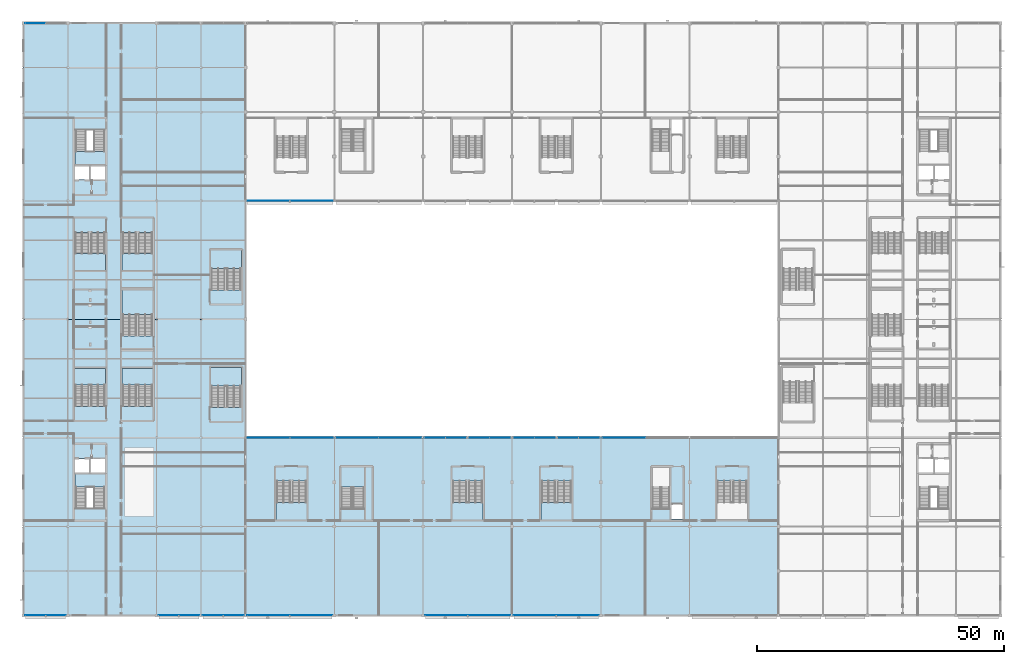
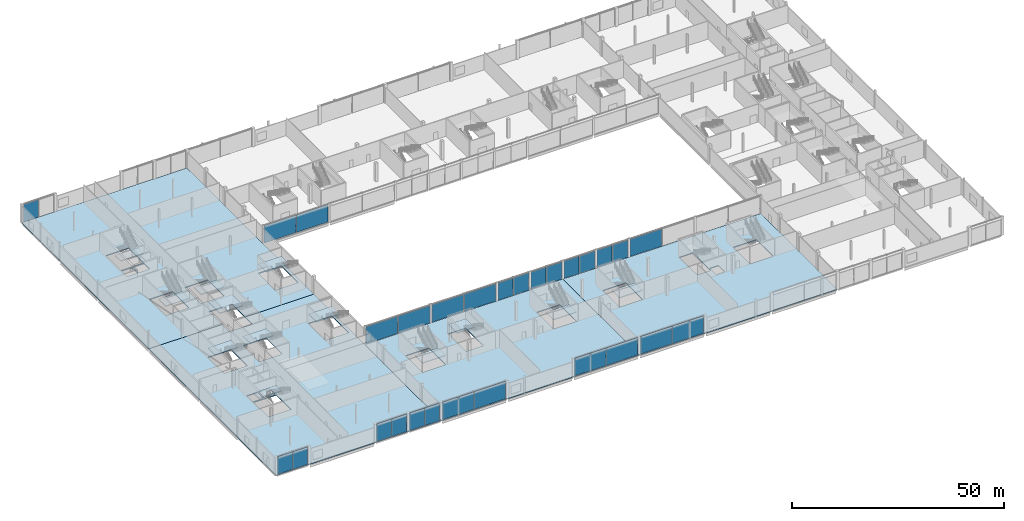
# One storey, part 55 of 111: 28 plates, 17 slabs, 28 elements without a shape of their own.
"""IFC4 building model written with IfcOpenShell, lengths in metres."""

from ifc_helpers import new_model, si_unit, direction, frame, origin, origin_2d, place, context, subcontext, project, spatial, polyline, rectangle, outline, extrude, material, layer, layer_set, type_object, element, aggregate, save


model = new_model("IFC4")

# Units and contexts
model_context = context("Model", 3, precision=1e-05, world=origin(), true_north=direction((0.0, 1.0)))
body_context = subcontext(model_context, "Body", "Model", "MODEL_VIEW")
ifc_project = project(units=[si_unit("LENGTHUNIT", "METRE"), si_unit("AREAUNIT", "SQUARE_METRE"), si_unit("VOLUMEUNIT", "CUBIC_METRE"), si_unit("PLANEANGLEUNIT", "RADIAN"), si_unit("MASSUNIT", "GRAM", prefix="KILO")], contexts=[model_context])

# Site, building, storey
site_placement = place(None, origin())
site = spatial("IfcSite", under=ifc_project, at=site_placement, CompositionType="ELEMENT")
building_placement = place(site_placement, origin())
building = spatial("IfcBuilding", under=site, at=building_placement, Name="Kisiwana Market Hall", CompositionType="ELEMENT")
storey_placement = place(building_placement, frame((0.0, 0.0, 11.39990234375)))
storey = spatial("IfcBuildingStorey", under=building, at=storey_placement, Name="L02", CompositionType="ELEMENT", Elevation=11.39990234375)

# Curtain wall, plates
ifc_material_1 = material(Name="Double-glazed solar-control low-E IGU", Category="glass")
ifc_layer_1 = layer(ifc_material_1, 0.159912109375)
ifc_layer_set_1 = layer_set([ifc_layer_1], Name="CW-GLD-W-6400")
curtain_wall_type_1 = type_object("IfcCurtainWallType", Name="CW-GLD-W-6400", PredefinedType="USERDEFINED", material=ifc_layer_set_1)
curtain_wall_1_placement = place(storey_placement, origin())
curtain_wall_1 = element("IfcCurtainWall", 1, at=curtain_wall_1_placement, inside=storey, type_object=curtain_wall_type_1, Name="Unitised curtain wall CW-053 (L02)", ObjectType="UNITISED CURTAIN WALL", PredefinedType="USERDEFINED")
ifc_material_2 = material(Name="Double-glazed solar-control low-E IGU", Category="glass")
ifc_layer_2 = layer(ifc_material_2, 0.02392578125)
ifc_layer_set_2 = layer_set([ifc_layer_2], Name="PL-IGU-24")
plate_type_1 = type_object("IfcPlateType", Name="PL-IGU-24", PredefinedType="CURTAIN_PANEL", material=ifc_layer_set_2)
plate_1_placement = place(storey_placement, frame((2.427490234375, 0.0, 0.06005859375), z_axis=(0.0, 0.0, 1.0), x_axis=(1.0, 0.0, 0.0)))
plate_1 = element("IfcPlate", 2, at=plate_1_placement, type_object=plate_type_1, Name="CW-053 panel 1.1", PredefinedType="CURTAIN_PANEL", context=body_context, shape_type="SweptSolid", body=[
    extrude(rectangle(XDim=4.0849609375, YDim=0.02392578125, at=origin_2d()), origin(), (0.0, 0.0, 1.0), 5.030029296875),
])
plate_2_placement = place(storey_placement, frame((6.572509765625, 0.0, 0.06005859375), z_axis=(0.0, 0.0, 1.0), x_axis=(1.0, 0.0, 0.0)))
plate_2 = element("IfcPlate", 3, at=plate_2_placement, type_object=plate_type_1, Name="CW-053 panel 2.1", PredefinedType="CURTAIN_PANEL", context=body_context, shape_type="SweptSolid", body=[
    extrude(rectangle(XDim=4.0849609375, YDim=0.02392578125, at=origin_2d()), origin(), (0.0, 0.0, 1.0), 5.030029296875),
])
aggregate(curtain_wall_1, [plate_1, plate_2])

curtain_wall_2_placement = place(storey_placement, origin())
curtain_wall_2 = element("IfcCurtainWall", 4, at=curtain_wall_2_placement, inside=storey, type_object=curtain_wall_type_1, Name="Unitised curtain wall CW-055 (L02)", ObjectType="UNITISED CURTAIN WALL", PredefinedType="USERDEFINED")
plate_3_placement = place(storey_placement, frame((38.427490234375, 0.0, 0.06005859375), z_axis=(0.0, 0.0, 1.0), x_axis=(1.0, 0.0, 0.0)))
plate_3 = element("IfcPlate", 5, at=plate_3_placement, type_object=plate_type_1, Name="CW-055 panel 1.1", PredefinedType="CURTAIN_PANEL", context=body_context, shape_type="SweptSolid", body=[
    extrude(rectangle(XDim=4.0849609375, YDim=0.02392578125, at=origin_2d()), origin(), (0.0, 0.0, 1.0), 5.030029296875),
])
plate_4_placement = place(storey_placement, frame((42.572509765625, 0.0, 0.06005859375), z_axis=(0.0, 0.0, 1.0), x_axis=(1.0, 0.0, 0.0)))
plate_4 = element("IfcPlate", 6, at=plate_4_placement, type_object=plate_type_1, Name="CW-055 panel 2.1", PredefinedType="CURTAIN_PANEL", context=body_context, shape_type="SweptSolid", body=[
    extrude(rectangle(XDim=4.0849609375, YDim=0.02392578125, at=origin_2d()), origin(), (0.0, 0.0, 1.0), 5.030029296875),
])
aggregate(curtain_wall_2, [plate_3, plate_4])

curtain_wall_3_placement = place(storey_placement, origin())
curtain_wall_3 = element("IfcCurtainWall", 7, at=curtain_wall_3_placement, inside=storey, type_object=curtain_wall_type_1, Name="Unitised curtain wall CW-057 (L02)", ObjectType="UNITISED CURTAIN WALL", PredefinedType="USERDEFINED")
plate_5_placement = place(storey_placement, frame((85.677490234375, 0.0, 0.06005859375), z_axis=(0.0, 0.0, 1.0), x_axis=(1.0, 0.0, 0.0)))
plate_5 = element("IfcPlate", 8, at=plate_5_placement, type_object=plate_type_1, Name="CW-057 panel 1.1", PredefinedType="CURTAIN_PANEL", context=body_context, shape_type="SweptSolid", body=[
    extrude(rectangle(XDim=8.5849609375, YDim=0.02392578125, at=origin_2d()), origin(), (0.0, 0.0, 1.0), 5.030029296875),
])
plate_6_placement = place(storey_placement, frame((94.322509765625, 0.0, 0.06005859375), z_axis=(0.0, 0.0, 1.0), x_axis=(1.0, 0.0, 0.0)))
plate_6 = element("IfcPlate", 9, at=plate_6_placement, type_object=plate_type_1, Name="CW-057 panel 2.1", PredefinedType="CURTAIN_PANEL", context=body_context, shape_type="SweptSolid", body=[
    extrude(rectangle(XDim=8.5849609375, YDim=0.02392578125, at=origin_2d()), origin(), (0.0, 0.0, 1.0), 5.030029296875),
])
aggregate(curtain_wall_3, [plate_5, plate_6])

ifc_material_3 = material(Name="Double-glazed solar-control low-E IGU", Category="glass")
ifc_layer_3 = layer(ifc_material_3, 0.159912109375)
ifc_layer_set_3 = layer_set([ifc_layer_3], Name="CW-GLD-E-7200")
curtain_wall_type_2 = type_object("IfcCurtainWallType", Name="CW-GLD-E-7200", PredefinedType="USERDEFINED", material=ifc_layer_set_3)
curtain_wall_4_placement = place(storey_placement, origin())
curtain_wall_4 = element("IfcCurtainWall", 10, at=curtain_wall_4_placement, inside=storey, type_object=curtain_wall_type_2, Name="Unitised curtain wall CW-063 (L02)", ObjectType="UNITISED CURTAIN WALL", PredefinedType="USERDEFINED")
plate_7_placement = place(storey_placement, frame((49.617919921875, 36.0, 0.06005859375), z_axis=(0.0, 0.0, 1.0), x_axis=(1.0, 0.0, 0.0)))
plate_7 = element("IfcPlate", 11, at=plate_7_placement, type_object=plate_type_1, Name="CW-063 panel 1.1", PredefinedType="CURTAIN_PANEL", context=body_context, shape_type="SweptSolid", body=[
    extrude(rectangle(XDim=8.7041015625, YDim=0.02392578125, at=origin_2d()), origin(), (0.0, 0.0, 1.0), 5.030029296875),
])
plate_8_placement = place(storey_placement, frame((58.382080078125, 36.0, 0.06005859375), z_axis=(0.0, 0.0, 1.0), x_axis=(1.0, 0.0, 0.0)))
plate_8 = element("IfcPlate", 12, at=plate_8_placement, type_object=plate_type_1, Name="CW-063 panel 2.1", PredefinedType="CURTAIN_PANEL", context=body_context, shape_type="SweptSolid", body=[
    extrude(rectangle(XDim=8.7041015625, YDim=0.02392578125, at=origin_2d()), origin(), (0.0, 0.0, 1.0), 5.030029296875),
])
aggregate(curtain_wall_4, [plate_7, plate_8])

curtain_wall_5_placement = place(storey_placement, origin())
curtain_wall_5 = element("IfcCurtainWall", 13, at=curtain_wall_5_placement, inside=storey, type_object=curtain_wall_type_2, Name="Unitised curtain wall CW-065 (L02)", ObjectType="UNITISED CURTAIN WALL", PredefinedType="USERDEFINED")
plate_9_placement = place(storey_placement, frame((83.367919921875, 36.0, 0.06005859375), z_axis=(0.0, 0.0, 1.0), x_axis=(1.0, 0.0, 0.0)))
plate_9 = element("IfcPlate", 14, at=plate_9_placement, type_object=plate_type_1, Name="CW-065 panel 1.1", PredefinedType="CURTAIN_PANEL", context=body_context, shape_type="SweptSolid", body=[
    extrude(rectangle(XDim=4.2041015625, YDim=0.02392578125, at=origin_2d()), origin(), (0.0, 0.0, 1.0), 5.030029296875),
])
plate_10_placement = place(storey_placement, frame((87.632080078125, 36.0, 0.06005859375), z_axis=(0.0, 0.0, 1.0), x_axis=(1.0, 0.0, 0.0)))
plate_10 = element("IfcPlate", 15, at=plate_10_placement, type_object=plate_type_1, Name="CW-065 panel 2.1", PredefinedType="CURTAIN_PANEL", context=body_context, shape_type="SweptSolid", body=[
    extrude(rectangle(XDim=4.2041015625, YDim=0.02392578125, at=origin_2d()), origin(), (0.0, 0.0, 1.0), 5.030029296875),
])
aggregate(curtain_wall_5, [plate_9, plate_10])

curtain_wall_6_placement = place(storey_placement, origin())
curtain_wall_6 = element("IfcCurtainWall", 16, at=curtain_wall_6_placement, inside=storey, type_object=curtain_wall_type_2, Name="Unitised curtain wall CW-067 (L02)", ObjectType="UNITISED CURTAIN WALL", PredefinedType="USERDEFINED")
plate_11_placement = place(storey_placement, frame((101.367919921875, 36.0, 0.06005859375), z_axis=(0.0, 0.0, 1.0), x_axis=(1.0, 0.0, 0.0)))
plate_11 = element("IfcPlate", 17, at=plate_11_placement, type_object=plate_type_1, Name="CW-067 panel 1.1", PredefinedType="CURTAIN_PANEL", context=body_context, shape_type="SweptSolid", body=[
    extrude(rectangle(XDim=4.2041015625, YDim=0.02392578125, at=origin_2d()), origin(), (0.0, 0.0, 1.0), 5.030029296875),
])
plate_12_placement = place(storey_placement, frame((105.632080078125, 36.0, 0.06005859375), z_axis=(0.0, 0.0, 1.0), x_axis=(1.0, 0.0, 0.0)))
plate_12 = element("IfcPlate", 18, at=plate_12_placement, type_object=plate_type_1, Name="CW-067 panel 2.1", PredefinedType="CURTAIN_PANEL", context=body_context, shape_type="SweptSolid", body=[
    extrude(rectangle(XDim=4.2041015625, YDim=0.02392578125, at=origin_2d()), origin(), (0.0, 0.0, 1.0), 5.030029296875),
])
aggregate(curtain_wall_6, [plate_11, plate_12])

# Curtain wall, plate
curtain_wall_7_placement = place(storey_placement, origin())
curtain_wall_7 = element("IfcCurtainWall", 19, at=curtain_wall_7_placement, inside=storey, type_object=curtain_wall_type_2, Name="Unitised curtain wall CW-069 (L02)", ObjectType="UNITISED CURTAIN WALL", PredefinedType="USERDEFINED")
plate_13_placement = place(storey_placement, frame((121.617919921875, 36.0, 0.06005859375), z_axis=(0.0, 0.0, 1.0), x_axis=(1.0, 0.0, 0.0)))
plate_13 = element("IfcPlate", 20, at=plate_13_placement, type_object=plate_type_1, Name="CW-069 panel 1.1", PredefinedType="CURTAIN_PANEL", context=body_context, shape_type="SweptSolid", body=[
    extrude(rectangle(XDim=8.7041015625, YDim=0.02392578125, at=origin_2d()), origin(), (0.0, 0.0, 1.0), 5.030029296875),
])
aggregate(curtain_wall_7, [plate_13])

# Curtain wall, plates
curtain_wall_8_placement = place(storey_placement, origin())
curtain_wall_8 = element("IfcCurtainWall", 21, at=curtain_wall_8_placement, inside=storey, type_object=curtain_wall_type_1, Name="Unitised curtain wall CW-071 (L02)", ObjectType="UNITISED CURTAIN WALL", PredefinedType="USERDEFINED")
plate_14_placement = place(storey_placement, frame((49.617919921875, 84.0, 0.06005859375), z_axis=(0.0, 0.0, 1.0), x_axis=(1.0, 0.0, 0.0)))
plate_14 = element("IfcPlate", 22, at=plate_14_placement, type_object=plate_type_1, Name="CW-071 panel 1.1", PredefinedType="CURTAIN_PANEL", context=body_context, shape_type="SweptSolid", body=[
    extrude(rectangle(XDim=8.7041015625, YDim=0.02392578125, at=origin_2d()), origin(), (0.0, 0.0, 1.0), 5.030029296875),
])
plate_15_placement = place(storey_placement, frame((58.382080078125, 84.0, 0.06005859375), z_axis=(0.0, 0.0, 1.0), x_axis=(1.0, 0.0, 0.0)))
plate_15 = element("IfcPlate", 23, at=plate_15_placement, type_object=plate_type_1, Name="CW-071 panel 2.1", PredefinedType="CURTAIN_PANEL", context=body_context, shape_type="SweptSolid", body=[
    extrude(rectangle(XDim=8.7041015625, YDim=0.02392578125, at=origin_2d()), origin(), (0.0, 0.0, 1.0), 5.030029296875),
])
aggregate(curtain_wall_8, [plate_14, plate_15])

# Curtain wall, plate
curtain_wall_9_placement = place(storey_placement, origin())
curtain_wall_9 = element("IfcCurtainWall", 24, at=curtain_wall_9_placement, inside=storey, type_object=curtain_wall_type_2, Name="Unitised curtain wall CW-079 (L02)", ObjectType="UNITISED CURTAIN WALL", PredefinedType="USERDEFINED")
plate_16_placement = place(storey_placement, frame((2.427490234375, 120.0, 0.06005859375), z_axis=(0.0, 0.0, 1.0), x_axis=(1.0, 0.0, 0.0)))
plate_16 = element("IfcPlate", 25, at=plate_16_placement, type_object=plate_type_1, Name="CW-079 panel 1.1", PredefinedType="CURTAIN_PANEL", context=body_context, shape_type="SweptSolid", body=[
    extrude(rectangle(XDim=4.0849609375, YDim=0.02392578125, at=origin_2d()), origin(), (0.0, 0.0, 1.0), 5.030029296875),
])
aggregate(curtain_wall_9, [plate_16])

# Curtain wall, plates
curtain_wall_10_placement = place(storey_placement, origin())
curtain_wall_10 = element("IfcCurtainWall", 26, at=curtain_wall_10_placement, inside=storey, type_object=curtain_wall_type_1, Name="Unitised curtain wall CW-054 (L02)", ObjectType="UNITISED CURTAIN WALL", PredefinedType="USERDEFINED")
ifc_material_4 = material(Name="Double-glazed acoustic laminated IGU", Category="glass")
ifc_layer_4 = layer(ifc_material_4, 0.028076171875)
ifc_layer_set_4 = layer_set([ifc_layer_4], Name="PL-IGU-28")
plate_type_2 = type_object("IfcPlateType", Name="PL-IGU-28", PredefinedType="CURTAIN_PANEL", material=ifc_layer_set_4)
plate_17_placement = place(storey_placement, frame((29.427490234375, 0.0, 0.06005859375), z_axis=(0.0, 0.0, 1.0), x_axis=(1.0, 0.0, 0.0)))
plate_17 = element("IfcPlate", 27, at=plate_17_placement, type_object=plate_type_2, Name="CW-054 panel 1.1", PredefinedType="CURTAIN_PANEL", context=body_context, shape_type="SweptSolid", body=[
    extrude(rectangle(XDim=4.0849609375, YDim=0.028076171875, at=origin_2d()), origin(), (0.0, 0.0, 1.0), 5.030029296875),
])
plate_18_placement = place(storey_placement, frame((33.572509765625, 0.0, 0.06005859375), z_axis=(0.0, 0.0, 1.0), x_axis=(1.0, 0.0, 0.0)))
plate_18 = element("IfcPlate", 28, at=plate_18_placement, type_object=plate_type_2, Name="CW-054 panel 2.1", PredefinedType="CURTAIN_PANEL", context=body_context, shape_type="SweptSolid", body=[
    extrude(rectangle(XDim=4.0849609375, YDim=0.028076171875, at=origin_2d()), origin(), (0.0, 0.0, 1.0), 5.030029296875),
])
aggregate(curtain_wall_10, [plate_17, plate_18])

curtain_wall_11_placement = place(storey_placement, origin())
curtain_wall_11 = element("IfcCurtainWall", 29, at=curtain_wall_11_placement, inside=storey, type_object=curtain_wall_type_1, Name="Unitised curtain wall CW-056 (L02)", ObjectType="UNITISED CURTAIN WALL", PredefinedType="USERDEFINED")
plate_19_placement = place(storey_placement, frame((49.677490234375, 0.0, 0.06005859375), z_axis=(0.0, 0.0, 1.0), x_axis=(1.0, 0.0, 0.0)))
plate_19 = element("IfcPlate", 30, at=plate_19_placement, type_object=plate_type_2, Name="CW-056 panel 1.1", PredefinedType="CURTAIN_PANEL", context=body_context, shape_type="SweptSolid", body=[
    extrude(rectangle(XDim=8.5849609375, YDim=0.028076171875, at=origin_2d()), origin(), (0.0, 0.0, 1.0), 5.030029296875),
])
plate_20_placement = place(storey_placement, frame((58.322509765625, 0.0, 0.06005859375), z_axis=(0.0, 0.0, 1.0), x_axis=(1.0, 0.0, 0.0)))
plate_20 = element("IfcPlate", 31, at=plate_20_placement, type_object=plate_type_2, Name="CW-056 panel 2.1", PredefinedType="CURTAIN_PANEL", context=body_context, shape_type="SweptSolid", body=[
    extrude(rectangle(XDim=8.5849609375, YDim=0.028076171875, at=origin_2d()), origin(), (0.0, 0.0, 1.0), 5.030029296875),
])
aggregate(curtain_wall_11, [plate_19, plate_20])

curtain_wall_12_placement = place(storey_placement, origin())
curtain_wall_12 = element("IfcCurtainWall", 32, at=curtain_wall_12_placement, inside=storey, type_object=curtain_wall_type_1, Name="Unitised curtain wall CW-058 (L02)", ObjectType="UNITISED CURTAIN WALL", PredefinedType="USERDEFINED")
plate_21_placement = place(storey_placement, frame((103.677490234375, 0.0, 0.06005859375), z_axis=(0.0, 0.0, 1.0), x_axis=(1.0, 0.0, 0.0)))
plate_21 = element("IfcPlate", 33, at=plate_21_placement, type_object=plate_type_2, Name="CW-058 panel 1.1", PredefinedType="CURTAIN_PANEL", context=body_context, shape_type="SweptSolid", body=[
    extrude(rectangle(XDim=8.5849609375, YDim=0.028076171875, at=origin_2d()), origin(), (0.0, 0.0, 1.0), 5.030029296875),
])
plate_22_placement = place(storey_placement, frame((112.322509765625, 0.0, 0.06005859375), z_axis=(0.0, 0.0, 1.0), x_axis=(1.0, 0.0, 0.0)))
plate_22 = element("IfcPlate", 34, at=plate_22_placement, type_object=plate_type_2, Name="CW-058 panel 2.1", PredefinedType="CURTAIN_PANEL", context=body_context, shape_type="SweptSolid", body=[
    extrude(rectangle(XDim=8.5849609375, YDim=0.028076171875, at=origin_2d()), origin(), (0.0, 0.0, 1.0), 5.030029296875),
])
aggregate(curtain_wall_12, [plate_21, plate_22])

curtain_wall_13_placement = place(storey_placement, origin())
curtain_wall_13 = element("IfcCurtainWall", 35, at=curtain_wall_13_placement, inside=storey, type_object=curtain_wall_type_2, Name="Unitised curtain wall CW-064 (L02)", ObjectType="UNITISED CURTAIN WALL", PredefinedType="USERDEFINED")
plate_23_placement = place(storey_placement, frame((67.617919921875, 36.0, 0.06005859375), z_axis=(0.0, 0.0, 1.0), x_axis=(1.0, 0.0, 0.0)))
plate_23 = element("IfcPlate", 36, at=plate_23_placement, type_object=plate_type_2, Name="CW-064 panel 1.1", PredefinedType="CURTAIN_PANEL", context=body_context, shape_type="SweptSolid", body=[
    extrude(rectangle(XDim=8.7041015625, YDim=0.028076171875, at=origin_2d()), origin(), (0.0, 0.0, 1.0), 5.030029296875),
])
plate_24_placement = place(storey_placement, frame((76.382080078125, 36.0, 0.06005859375), z_axis=(0.0, 0.0, 1.0), x_axis=(1.0, 0.0, 0.0)))
plate_24 = element("IfcPlate", 37, at=plate_24_placement, type_object=plate_type_2, Name="CW-064 panel 2.1", PredefinedType="CURTAIN_PANEL", context=body_context, shape_type="SweptSolid", body=[
    extrude(rectangle(XDim=8.7041015625, YDim=0.028076171875, at=origin_2d()), origin(), (0.0, 0.0, 1.0), 5.030029296875),
])
aggregate(curtain_wall_13, [plate_23, plate_24])

curtain_wall_14_placement = place(storey_placement, origin())
curtain_wall_14 = element("IfcCurtainWall", 38, at=curtain_wall_14_placement, inside=storey, type_object=curtain_wall_type_2, Name="Unitised curtain wall CW-066 (L02)", ObjectType="UNITISED CURTAIN WALL", PredefinedType="USERDEFINED")
plate_25_placement = place(storey_placement, frame((92.367919921875, 36.0, 0.06005859375), z_axis=(0.0, 0.0, 1.0), x_axis=(1.0, 0.0, 0.0)))
plate_25 = element("IfcPlate", 39, at=plate_25_placement, type_object=plate_type_2, Name="CW-066 panel 1.1", PredefinedType="CURTAIN_PANEL", context=body_context, shape_type="SweptSolid", body=[
    extrude(rectangle(XDim=4.2041015625, YDim=0.028076171875, at=origin_2d()), origin(), (0.0, 0.0, 1.0), 5.030029296875),
])
plate_26_placement = place(storey_placement, frame((96.632080078125, 36.0, 0.06005859375), z_axis=(0.0, 0.0, 1.0), x_axis=(1.0, 0.0, 0.0)))
plate_26 = element("IfcPlate", 40, at=plate_26_placement, type_object=plate_type_2, Name="CW-066 panel 2.1", PredefinedType="CURTAIN_PANEL", context=body_context, shape_type="SweptSolid", body=[
    extrude(rectangle(XDim=4.2041015625, YDim=0.028076171875, at=origin_2d()), origin(), (0.0, 0.0, 1.0), 5.030029296875),
])
aggregate(curtain_wall_14, [plate_25, plate_26])

curtain_wall_15_placement = place(storey_placement, origin())
curtain_wall_15 = element("IfcCurtainWall", 41, at=curtain_wall_15_placement, inside=storey, type_object=curtain_wall_type_2, Name="Unitised curtain wall CW-068 (L02)", ObjectType="UNITISED CURTAIN WALL", PredefinedType="USERDEFINED")
plate_27_placement = place(storey_placement, frame((110.367919921875, 36.0, 0.06005859375), z_axis=(0.0, 0.0, 1.0), x_axis=(1.0, 0.0, 0.0)))
plate_27 = element("IfcPlate", 42, at=plate_27_placement, type_object=plate_type_2, Name="CW-068 panel 1.1", PredefinedType="CURTAIN_PANEL", context=body_context, shape_type="SweptSolid", body=[
    extrude(rectangle(XDim=4.2041015625, YDim=0.028076171875, at=origin_2d()), origin(), (0.0, 0.0, 1.0), 5.030029296875),
])
plate_28_placement = place(storey_placement, frame((114.632080078125, 36.0, 0.06005859375), z_axis=(0.0, 0.0, 1.0), x_axis=(1.0, 0.0, 0.0)))
plate_28 = element("IfcPlate", 43, at=plate_28_placement, type_object=plate_type_2, Name="CW-068 panel 2.1", PredefinedType="CURTAIN_PANEL", context=body_context, shape_type="SweptSolid", body=[
    extrude(rectangle(XDim=4.2041015625, YDim=0.028076171875, at=origin_2d()), origin(), (0.0, 0.0, 1.0), 5.030029296875),
])
aggregate(curtain_wall_15, [plate_27, plate_28])

# Stair, slab
ifc_material_5 = material(Name="Concrete C32/40", Category="concrete")
stair_type_1 = type_object("IfcStairType", Name="ST-POD-5400", PredefinedType="TWO_STRAIGHT_RUN_STAIR", material=ifc_material_5)
stair_1_placement = place(storey_placement, origin())
stair_1 = element("IfcStair", 44, at=stair_1_placement, inside=storey, type_object=stair_type_1, Name="Escape stair ST-W2-L02", PredefinedType="TWO_STRAIGHT_RUN_STAIR")
ifc_material_6 = material(Name="Concrete C32/40", Category="concrete")
ifc_layer_5 = layer(ifc_material_6, 0.239990234375)
ifc_layer_set_5 = layer_set([ifc_layer_5], Name="SL-LANDING-160")
slab_type_1 = type_object("IfcSlabType", Name="SL-LANDING-160", PredefinedType="LANDING", material=ifc_layer_set_5)
slab_1_placement = place(storey_placement, frame((0.0, 0.0, 2.460205078125)))
slab_1 = element("IfcSlab", 45, at=slab_1_placement, type_object=slab_type_1, Name="ST-W2-L02 landing 1 S-168", PredefinedType="LANDING", context=body_context, shape_type="SweptSolid", body=[
    extrude(outline(polyline([(10.405029296875, 26.02392578125), (16.594970703125, 26.02392578125), (16.594970703125, 28.64501953125), (10.405029296875, 28.64501953125), (10.405029296875, 26.02392578125)])), origin(), (0.0, 0.0, 1.0), 0.239990234375),
])
aggregate(stair_1, [slab_1])

stair_2_placement = place(storey_placement, origin())
stair_2 = element("IfcStair", 46, at=stair_2_placement, inside=storey, type_object=stair_type_1, Name="Escape stair ST-W1-L02", PredefinedType="TWO_STRAIGHT_RUN_STAIR")
slab_2_placement = place(storey_placement, frame((0.0, 0.0, 2.460205078125)))
slab_2 = element("IfcSlab", 47, at=slab_2_placement, type_object=slab_type_1, Name="ST-W1-L02 landing 1 S-166", PredefinedType="LANDING", context=body_context, shape_type="SweptSolid", body=[
    extrude(outline(polyline([(10.405029296875, 91.35498046875), (16.594970703125, 91.35498046875), (16.594970703125, 93.97607421875), (10.405029296875, 93.97607421875), (10.405029296875, 91.35498046875)])), origin(), (0.0, 0.0, 1.0), 0.239990234375),
])
aggregate(stair_2, [slab_2])

stair_3_placement = place(storey_placement, origin())
stair_3 = element("IfcStair", 48, at=stair_3_placement, inside=storey, type_object=stair_type_1, Name="Escape stair ST-S1-L02", PredefinedType="TWO_STRAIGHT_RUN_STAIR")
slab_3_placement = place(storey_placement, frame((0.0, 0.0, 2.460205078125)))
slab_3 = element("IfcSlab", 49, at=slab_3_placement, type_object=slab_type_1, Name="ST-S1-L02 landing 1 S-160", PredefinedType="LANDING", context=body_context, shape_type="SweptSolid", body=[
    extrude(outline(polyline([(64.360107421875, 25.97900390625), (69.10009765625, 25.97900390625), (69.10009765625, 30.0400390625), (64.360107421875, 30.0400390625), (64.360107421875, 25.97900390625)])), origin(), (0.0, 0.0, 1.0), 0.239990234375),
])
aggregate(stair_3, [slab_3])

ifc_material_7 = material(Name="Concrete C32/40", Category="concrete")
stair_type_2 = type_object("IfcStairType", Name="ST-ESC-5400", PredefinedType="TWO_STRAIGHT_RUN_STAIR", material=ifc_material_7)
stair_4_placement = place(storey_placement, origin())
stair_4 = element("IfcStair", 50, at=stair_4_placement, inside=storey, type_object=stair_type_2, Name="Escape stair ST-W3-L02", PredefinedType="TWO_STRAIGHT_RUN_STAIR")
slab_4_placement = place(storey_placement, frame((0.0, 0.0, 2.460205078125)))
slab_4 = element("IfcSlab", 51, at=slab_4_placement, type_object=slab_type_1, Name="ST-W3-L02 landing 1 S-169", PredefinedType="LANDING", context=body_context, shape_type="SweptSolid", body=[
    extrude(outline(polyline([(10.340087890625, 46.70947265625), (16.659912109375, 46.70947265625), (16.659912109375, 50.06005859375), (10.340087890625, 50.06005859375), (10.340087890625, 46.70947265625)])), origin(), (0.0, 0.0, 1.0), 0.239990234375),
])
aggregate(stair_4, [slab_4])

stair_5_placement = place(storey_placement, origin())
stair_5 = element("IfcStair", 52, at=stair_5_placement, inside=storey, type_object=stair_type_2, Name="Escape stair ST-W4-L02", PredefinedType="TWO_STRAIGHT_RUN_STAIR")
slab_5_placement = place(storey_placement, frame((0.0, 0.0, 2.460205078125)))
slab_5 = element("IfcSlab", 53, at=slab_5_placement, type_object=slab_type_1, Name="ST-W4-L02 landing 1 S-170", PredefinedType="LANDING", context=body_context, shape_type="SweptSolid", body=[
    extrude(outline(polyline([(10.340087890625, 69.93994140625), (16.659912109375, 69.93994140625), (16.659912109375, 73.29052734375), (10.340087890625, 73.29052734375), (10.340087890625, 69.93994140625)])), origin(), (0.0, 0.0, 1.0), 0.239990234375),
])
aggregate(stair_5, [slab_5])

stair_6_placement = place(storey_placement, origin())
stair_6 = element("IfcStair", 54, at=stair_6_placement, inside=storey, type_object=stair_type_2, Name="Escape stair ST-W7-L02", PredefinedType="TWO_STRAIGHT_RUN_STAIR")
slab_6_placement = place(storey_placement, frame((0.0, 0.0, 2.460205078125)))
slab_6 = element("IfcSlab", 55, at=slab_6_placement, type_object=slab_type_1, Name="ST-W7-L02 landing 1 S-172", PredefinedType="LANDING", context=body_context, shape_type="SweptSolid", body=[
    extrude(outline(polyline([(19.93994140625, 46.70947265625), (26.260009765625, 46.70947265625), (26.260009765625, 50.06005859375), (19.93994140625, 50.06005859375), (19.93994140625, 46.70947265625)])), origin(), (0.0, 0.0, 1.0), 0.239990234375),
])
aggregate(stair_6, [slab_6])

stair_7_placement = place(storey_placement, origin())
stair_7 = element("IfcStair", 56, at=stair_7_placement, inside=storey, type_object=stair_type_2, Name="Escape stair ST-W8-L02", PredefinedType="TWO_STRAIGHT_RUN_STAIR")
slab_7_placement = place(storey_placement, frame((0.0, 0.0, 2.460205078125)))
slab_7 = element("IfcSlab", 57, at=slab_7_placement, type_object=slab_type_1, Name="ST-W8-L02 landing 1 S-173", PredefinedType="LANDING", context=body_context, shape_type="SweptSolid", body=[
    extrude(outline(polyline([(19.93994140625, 69.93994140625), (26.260009765625, 69.93994140625), (26.260009765625, 73.29052734375), (19.93994140625, 73.29052734375), (19.93994140625, 69.93994140625)])), origin(), (0.0, 0.0, 1.0), 0.239990234375),
])
aggregate(stair_7, [slab_7])

stair_8_placement = place(storey_placement, origin())
stair_8 = element("IfcStair", 58, at=stair_8_placement, inside=storey, type_object=stair_type_2, Name="Escape stair ST-W9-L02", PredefinedType="TWO_STRAIGHT_RUN_STAIR")
slab_8_placement = place(storey_placement, frame((0.0, 0.0, 2.460205078125)))
slab_8 = element("IfcSlab", 59, at=slab_8_placement, type_object=slab_type_1, Name="ST-W9-L02 landing 1 S-174", PredefinedType="LANDING", context=body_context, shape_type="SweptSolid", body=[
    extrude(outline(polyline([(37.909912109375, 46.509521484375), (44.22998046875, 46.509521484375), (44.22998046875, 50.260009765625), (37.909912109375, 50.260009765625), (37.909912109375, 46.509521484375)])), origin(), (0.0, 0.0, 1.0), 0.239990234375),
])
aggregate(stair_8, [slab_8])

stair_9_placement = place(storey_placement, origin())
stair_9 = element("IfcStair", 60, at=stair_9_placement, inside=storey, type_object=stair_type_2, Name="Escape stair ST-W10-L02", PredefinedType="TWO_STRAIGHT_RUN_STAIR")
slab_9_placement = place(storey_placement, frame((0.0, 0.0, 2.460205078125)))
slab_9 = element("IfcSlab", 61, at=slab_9_placement, type_object=slab_type_1, Name="ST-W10-L02 landing 1 S-167", PredefinedType="LANDING", context=body_context, shape_type="SweptSolid", body=[
    extrude(outline(polyline([(37.909912109375, 70.3095703125), (44.22998046875, 70.3095703125), (44.22998046875, 74.06005859375), (37.909912109375, 74.06005859375), (37.909912109375, 70.3095703125)])), origin(), (0.0, 0.0, 1.0), 0.239990234375),
])
aggregate(stair_9, [slab_9])

stair_10_placement = place(storey_placement, origin())
stair_10 = element("IfcStair", 62, at=stair_10_placement, inside=storey, type_object=stair_type_2, Name="Escape stair ST-W5-L02", PredefinedType="TWO_STRAIGHT_RUN_STAIR")
slab_10_placement = place(storey_placement, frame((0.0, 0.0, 2.460205078125)))
slab_10 = element("IfcSlab", 63, at=slab_10_placement, type_object=slab_type_1, Name="ST-W5-L02 landing 1 S-171", PredefinedType="LANDING", context=body_context, shape_type="SweptSolid", body=[
    extrude(outline(polyline([(19.93994140625, 60.989501953125), (26.260009765625, 60.989501953125), (26.260009765625, 66.179931640625), (19.93994140625, 66.179931640625), (19.93994140625, 60.989501953125)])), origin(), (0.0, 0.0, 1.0), 0.239990234375),
])
aggregate(stair_10, [slab_10])

stair_11_placement = place(storey_placement, origin())
stair_11 = element("IfcStair", 64, at=stair_11_placement, inside=storey, type_object=stair_type_2, Name="Escape stair ST-S3-L02", PredefinedType="TWO_STRAIGHT_RUN_STAIR")
slab_11_placement = place(storey_placement, frame((0.0, 0.0, 2.460205078125)))
slab_11 = element("IfcSlab", 65, at=slab_11_placement, type_object=slab_type_1, Name="ST-S3-L02 landing 1 S-162", PredefinedType="LANDING", context=body_context, shape_type="SweptSolid", body=[
    extrude(outline(polyline([(51.139892578125, 19.340087890625), (57.4599609375, 19.340087890625), (57.4599609375, 22.890380859375), (51.139892578125, 22.890380859375), (51.139892578125, 19.340087890625)])), origin(), (0.0, 0.0, 1.0), 0.239990234375),
])
aggregate(stair_11, [slab_11])

stair_12_placement = place(storey_placement, origin())
stair_12 = element("IfcStair", 66, at=stair_12_placement, inside=storey, type_object=stair_type_2, Name="Escape stair ST-S4-L02", PredefinedType="TWO_STRAIGHT_RUN_STAIR")
slab_12_placement = place(storey_placement, frame((0.0, 0.0, 2.460205078125)))
slab_12 = element("IfcSlab", 67, at=slab_12_placement, type_object=slab_type_1, Name="ST-S4-L02 landing 1 S-163", PredefinedType="LANDING", context=body_context, shape_type="SweptSolid", body=[
    extrude(outline(polyline([(86.840087890625, 19.340087890625), (93.159912109375, 19.340087890625), (93.159912109375, 22.890380859375), (86.840087890625, 22.890380859375), (86.840087890625, 19.340087890625)])), origin(), (0.0, 0.0, 1.0), 0.239990234375),
])
aggregate(stair_12, [slab_12])

stair_13_placement = place(storey_placement, origin())
stair_13 = element("IfcStair", 68, at=stair_13_placement, inside=storey, type_object=stair_type_2, Name="Escape stair ST-S5-L02", PredefinedType="TWO_STRAIGHT_RUN_STAIR")
slab_13_placement = place(storey_placement, frame((0.0, 0.0, 2.460205078125)))
slab_13 = element("IfcSlab", 69, at=slab_13_placement, type_object=slab_type_1, Name="ST-S5-L02 landing 1 S-164", PredefinedType="LANDING", context=body_context, shape_type="SweptSolid", body=[
    extrude(outline(polyline([(104.840087890625, 19.340087890625), (111.159912109375, 19.340087890625), (111.159912109375, 22.890380859375), (104.840087890625, 22.890380859375), (104.840087890625, 19.340087890625)])), origin(), (0.0, 0.0, 1.0), 0.239990234375),
])
aggregate(stair_13, [slab_13])

# Slabs
ifc_material_8 = material(Name="Concrete C32/40", Category="concrete")
ifc_layer_6 = layer(ifc_material_8, 0.25)
ifc_layer_set_6 = layer_set([ifc_layer_6], Name="SL-POD-220")
slab_type_2 = type_object("IfcSlabType", Name="SL-POD-220", PredefinedType="FLOOR", material=ifc_layer_set_6)
slab_14_placement = place(storey_placement, frame((0.0, 0.0, -0.25)))
element("IfcSlab", 70, at=slab_14_placement, inside=storey, type_object=slab_type_2, Name="Structural slab S-137", PredefinedType="FLOOR", context=body_context, shape_type="SweptSolid", body=[
    extrude(outline(polyline([(0.0, 0.0), (45.0, 0.0), (45.0, 60.0), (26.239990234375, 60.0), (26.239990234375, 56.659912109375), (19.9599609375, 56.659912109375), (19.9599609375, 60.0), (0.0, 60.0), (0.0, 0.0)]), holes=[polyline([(10.425048828125, 21.675048828125), (16.574951171875, 21.675048828125), (16.574951171875, 28.625), (10.425048828125, 28.625), (10.425048828125, 21.675048828125)]), polyline([(10.425048828125, 28.945068359375), (13.340087890625, 28.945068359375), (13.340087890625, 31.675048828125), (10.425048828125, 31.675048828125), (10.425048828125, 28.945068359375)]), polyline([(13.659912109375, 28.945068359375), (16.574951171875, 28.945068359375), (16.574951171875, 31.675048828125), (13.659912109375, 31.675048828125), (13.659912109375, 28.945068359375)]), polyline([(10.360107421875, 42.3798828125), (16.639892578125, 42.3798828125), (16.639892578125, 50.0400390625), (10.360107421875, 50.0400390625), (10.360107421875, 42.3798828125)]), polyline([(19.9599609375, 42.3798828125), (26.239990234375, 42.3798828125), (26.239990234375, 50.0400390625), (19.9599609375, 50.0400390625), (19.9599609375, 42.3798828125)]), polyline([(37.929931640625, 42.179931640625), (44.2099609375, 42.179931640625), (44.2099609375, 50.239990234375), (37.929931640625, 50.239990234375), (37.929931640625, 42.179931640625)])]), origin(), (0.0, 0.0, 1.0), 0.25),
])
slab_15_placement = place(storey_placement, frame((0.0, 0.0, -0.25)))
element("IfcSlab", 71, at=slab_15_placement, inside=storey, type_object=slab_type_2, Name="Structural slab S-138", PredefinedType="FLOOR", context=body_context, shape_type="SweptSolid", body=[
    extrude(outline(polyline([(0.0, 60.0), (19.9599609375, 60.0), (19.9599609375, 66.159912109375), (26.239990234375, 66.159912109375), (26.239990234375, 60.0), (45.0, 60.0), (45.0, 120.0), (0.0, 120.0), (0.0, 60.0)]), holes=[polyline([(10.425048828125, 91.375), (16.574951171875, 91.375), (16.574951171875, 98.324951171875), (10.425048828125, 98.324951171875), (10.425048828125, 91.375)]), polyline([(10.425048828125, 88.324951171875), (13.340087890625, 88.324951171875), (13.340087890625, 91.054931640625), (10.425048828125, 91.054931640625), (10.425048828125, 88.324951171875)]), polyline([(13.659912109375, 88.324951171875), (16.574951171875, 88.324951171875), (16.574951171875, 91.054931640625), (13.659912109375, 91.054931640625), (13.659912109375, 88.324951171875)]), polyline([(10.360107421875, 69.9599609375), (16.639892578125, 69.9599609375), (16.639892578125, 77.6201171875), (10.360107421875, 77.6201171875), (10.360107421875, 69.9599609375)]), polyline([(19.9599609375, 69.9599609375), (26.239990234375, 69.9599609375), (26.239990234375, 77.6201171875), (19.9599609375, 77.6201171875), (19.9599609375, 69.9599609375)]), polyline([(37.929931640625, 65.97998046875), (44.2099609375, 65.97998046875), (44.2099609375, 74.0400390625), (37.929931640625, 74.0400390625), (37.929931640625, 65.97998046875)])]), origin(), (0.0, 0.0, 1.0), 0.25),
])
slab_16_placement = place(storey_placement, frame((0.0, 0.0, -0.25)))
element("IfcSlab", 72, at=slab_16_placement, inside=storey, type_object=slab_type_2, Name="Structural slab S-141", PredefinedType="FLOOR", context=body_context, shape_type="SweptSolid", body=[
    extrude(outline(polyline([(45.0, 0.0), (99.0, 0.0), (99.0, 36.0), (45.0, 36.0), (45.0, 0.0)]), holes=[polyline([(64.3798828125, 21.6298828125), (69.080078125, 21.6298828125), (69.080078125, 30.02001953125), (64.3798828125, 30.02001953125), (64.3798828125, 21.6298828125)]), polyline([(51.159912109375, 19.360107421875), (57.43994140625, 19.360107421875), (57.43994140625, 27.219970703125), (51.159912109375, 27.219970703125), (51.159912109375, 19.360107421875)]), polyline([(86.860107421875, 19.360107421875), (93.139892578125, 19.360107421875), (93.139892578125, 27.219970703125), (86.860107421875, 27.219970703125), (86.860107421875, 19.360107421875)])]), origin(), (0.0, 0.0, 1.0), 0.25),
])
slab_17_placement = place(storey_placement, frame((0.0, 0.0, -0.25)))
element("IfcSlab", 73, at=slab_17_placement, inside=storey, type_object=slab_type_2, Name="Structural slab S-142", PredefinedType="FLOOR", context=body_context, shape_type="SweptSolid", body=[
    extrude(outline(polyline([(99.0, 0.0), (153.0, 0.0), (153.0, 36.0), (99.0, 36.0), (99.0, 0.0)]), holes=[polyline([(127.3798828125, 21.6298828125), (130.97998046875, 21.6298828125), (130.97998046875, 30.02001953125), (127.3798828125, 30.02001953125), (127.3798828125, 21.6298828125)]), polyline([(131.300048828125, 19.580078125), (133.6201171875, 19.580078125), (133.6201171875, 22.47998046875), (131.300048828125, 22.47998046875), (131.300048828125, 19.580078125)]), polyline([(104.860107421875, 19.360107421875), (111.139892578125, 19.360107421875), (111.139892578125, 27.219970703125), (104.860107421875, 27.219970703125), (104.860107421875, 19.360107421875)]), polyline([(140.4599609375, 19.360107421875), (146.739990234375, 19.360107421875), (146.739990234375, 27.219970703125), (140.4599609375, 27.219970703125), (140.4599609375, 19.360107421875)])]), origin(), (0.0, 0.0, 1.0), 0.25),
])

save(model, "model.ifc")
